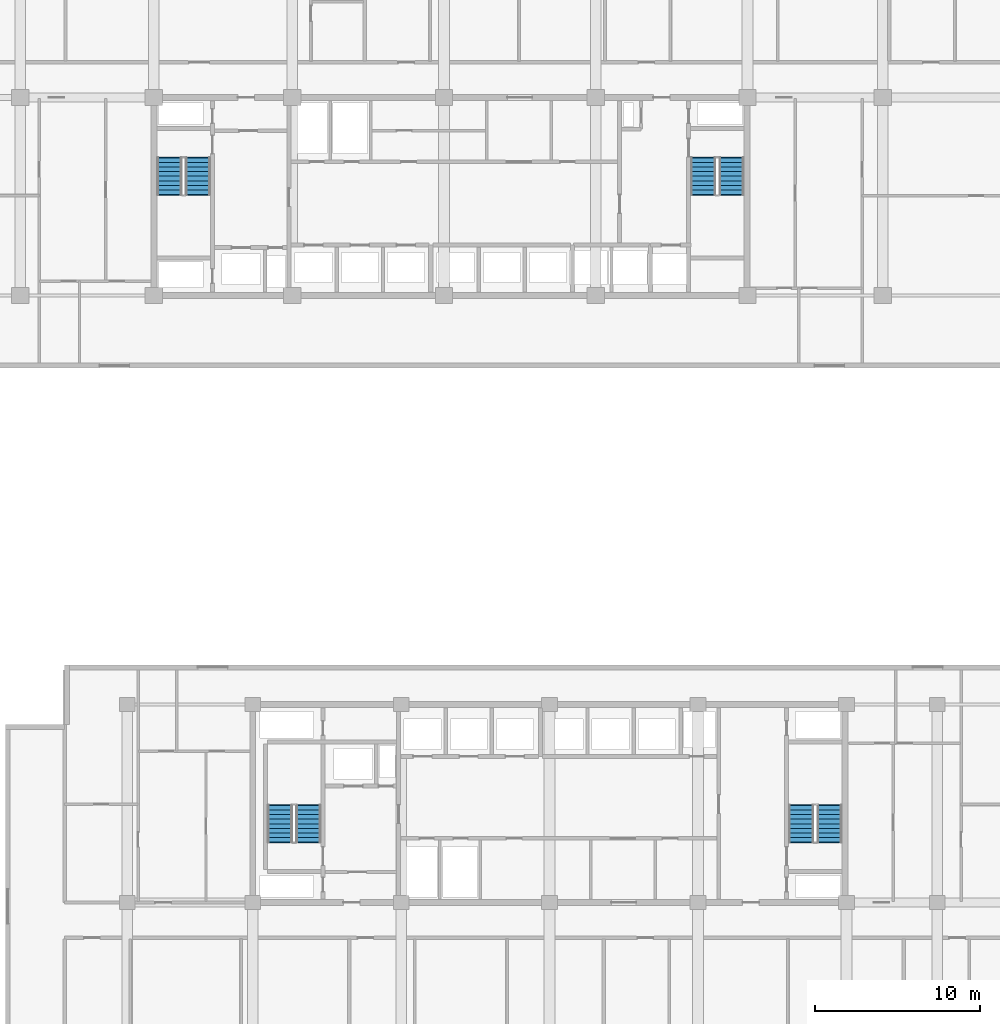
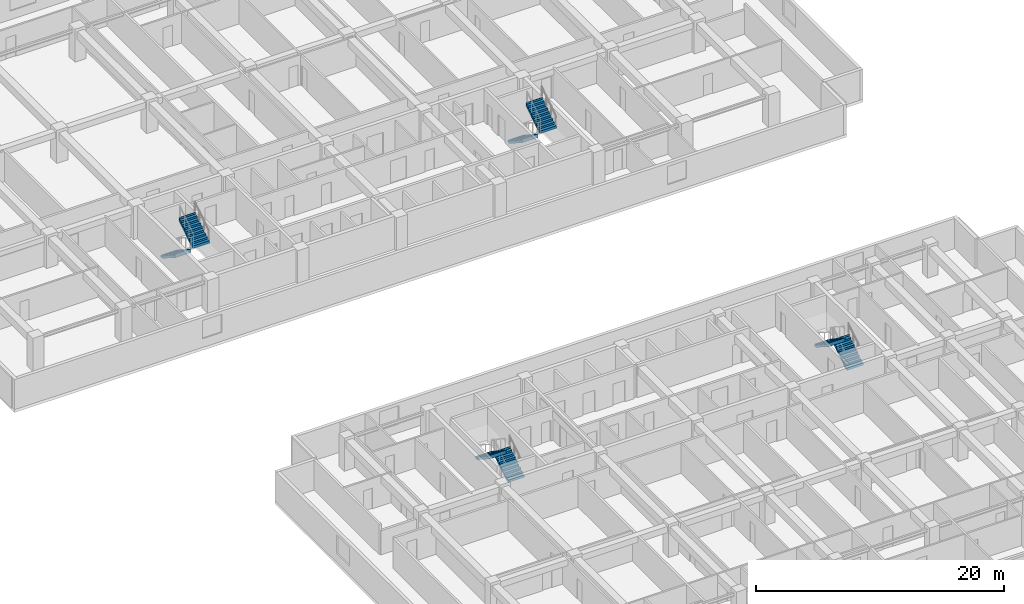
# One storey, part 19 of 24: 8 stair flights, 4 elements without a shape of their own.
"""IFC4 building model written with IfcOpenShell, lengths in metres."""

import ifcopenshell
import ifcopenshell.guid

model = None  # the IFC model being written
_history = None  # IfcOwnerHistory: only IFC2X3 demands one
_inside = {}  # id of a spatial element -> (the spatial element, [elements in it])
_under = {}  # id of a project, library or spatial element -> (it, [spatial elements below it])
_declared = {}  # id of a project -> (the project, [libraries it declares])
_typed = {}  # id of a type object -> (the type object, [elements of that type])
_made_of = {}  # id of a material, layer set ... -> (it, [elements and type objects made of it])


def new_model(schema):
    """Start an empty IFC model of exactly this schema.

    Asked for "IFC4X3", IfcOpenShell would pick the latest addendum, in which some entities
    have other attributes; the version numbers below select the first issue.
    IFC2X3 requires an IfcOwnerHistory on every rooted entity: one is made here for all.
    """
    global model, _history
    if schema == "IFC4X3":
        model = ifcopenshell.file(schema_version=(4, 3, 0, 0))
    else:
        model = ifcopenshell.file(schema=schema)
    _inside.clear()
    _under.clear()
    _declared.clear()
    _typed.clear()
    _made_of.clear()
    _history = None
    if model.schema == "IFC2X3":
        org = make("IfcOrganization", Name="unknown")
        user = make(
            "IfcPersonAndOrganization",
            ThePerson=make("IfcPerson", FamilyName="unknown"),
            TheOrganization=org,
        )
        app = make(
            "IfcApplication",
            ApplicationDeveloper=org,
            Version="unknown",
            ApplicationFullName="unknown",
            ApplicationIdentifier="unknown",
        )
        _history = make(
            "IfcOwnerHistory",
            OwningUser=user,
            OwningApplication=app,
            ChangeAction="ADDED",
            CreationDate=0,
        )
    return model


def make(cls, **values):
    """One entity of the class cls with the attributes given. An attribute that is None is left unset."""
    return model.create_entity(
        cls, **{name: value for name, value in values.items() if value is not None}
    )


def rooted(cls, **values):
    """An entity with a GlobalId (a new one), such as an element, a storey or a relation."""
    return make(cls, GlobalId=ifcopenshell.guid.new(), OwnerHistory=_history, **values)


def si_unit(unit_type, name, prefix=None):
    """IfcSIUnit, for example si_unit("LENGTHUNIT", "METRE", prefix="MILLI")."""
    return make("IfcSIUnit", UnitType=unit_type, Prefix=prefix, Name=name)


def assignment(units):
    """IfcUnitAssignment: the units of a project."""
    return None if units is None else make("IfcUnitAssignment", Units=units)


def point(xyz):
    """IfcCartesianPoint."""
    return None if xyz is None else make("IfcCartesianPoint", Coordinates=xyz)


def direction(xyz):
    """IfcDirection."""
    return None if xyz is None else make("IfcDirection", DirectionRatios=xyz)


def frame(location, z_axis=None, x_axis=None):
    """IfcAxis2Placement3D, a coordinate frame: its origin and axes. An axis left out is left unset."""
    return make(
        "IfcAxis2Placement3D",
        Location=point(location),
        Axis=direction(z_axis),
        RefDirection=direction(x_axis),
    )


def origin():
    """The frame at (0, 0, 0) with its axes left unset."""
    return frame((0.0, 0.0, 0.0))


def place(relative_to, where):
    """IfcLocalPlacement: puts the frame where relative to a parent placement (None: the world)."""
    return make(
        "IfcLocalPlacement", PlacementRelTo=relative_to, RelativePlacement=where
    )


def context(
    kind, dimensions, precision=None, world=None, true_north=None, identifier=None
):
    """IfcGeometricRepresentationContext, for example the 3D "Model" context."""
    return make(
        "IfcGeometricRepresentationContext",
        ContextIdentifier=identifier,
        ContextType=kind,
        CoordinateSpaceDimension=dimensions,
        Precision=precision,
        WorldCoordinateSystem=world,
        TrueNorth=true_north,
    )


def subcontext(parent, identifier, kind, view, scale=None):
    """IfcGeometricRepresentationSubContext, for example "Body" below "Model"."""
    return make(
        "IfcGeometricRepresentationSubContext",
        ContextIdentifier=identifier,
        ContextType=kind,
        ParentContext=parent,
        TargetScale=scale,
        TargetView=view,
    )


def project(units=None, contexts=None):
    """IfcProject with its units and contexts."""
    return rooted(
        "IfcProject",
        Name="project",
        RepresentationContexts=contexts,
        UnitsInContext=assignment(units),
    )


def spatial(cls, under=None, at=None, **own):
    """A site, building, storey or space (cls), placed at a placement, below another one or the project."""
    s = rooted(cls, ObjectPlacement=at, **own)
    if under is not None:
        _under.setdefault(under.id(), (under, []))[1].append(s)
    return s


def polyline(points):
    """IfcPolyline through the points."""
    return make("IfcPolyline", Points=[point(p) for p in points])


def outline(outer, holes=None, kind="AREA"):
    """IfcArbitraryClosedProfileDef: a profile drawn as a closed curve; with holes, ...WithVoids."""
    if holes is None:
        return make("IfcArbitraryClosedProfileDef", ProfileType=kind, OuterCurve=outer)
    return make(
        "IfcArbitraryProfileDefWithVoids",
        ProfileType=kind,
        OuterCurve=outer,
        InnerCurves=holes,
    )


def extrude(swept, where, along, depth):
    """IfcExtrudedAreaSolid: the profile swept, set in the frame where, extruded along a direction by depth."""
    return make(
        "IfcExtrudedAreaSolid",
        SweptArea=swept,
        Position=where,
        ExtrudedDirection=direction(along),
        Depth=depth,
    )


def shape(context_of_items, identifier, shape_type, items):
    """IfcShapeRepresentation: the items that make up one representation, for example the "Body"."""
    return make(
        "IfcShapeRepresentation",
        ContextOfItems=context_of_items,
        RepresentationIdentifier=identifier,
        RepresentationType=shape_type,
        Items=items,
    )


def material(Name=None, Category=None):
    """IfcMaterial."""
    return make("IfcMaterial", Name=Name, Category=Category)


def made_of(thing, what):
    """Note that an element or type object is made of a material, layer set ...; save() writes the relation."""
    if what is not None:
        _made_of.setdefault(what.id(), (what, []))[1].append(thing)
    return thing


def type_object(cls, material=None, **own):
    """A type object (cls), such as IfcWallType, which elements share."""
    return made_of(rooted(cls, **own), material)


def element(
    cls,
    number,
    at=None,
    inside=None,
    cuts=None,
    type_object=None,
    material=None,
    context=None,
    identifier="Body",
    shape_type=None,
    held_by="IfcProductDefinitionShape",
    body=None,
    shapes=None,
    **own,
):
    """One element of the class cls, such as IfcWall. Its Tag is "e" and its number.

    at: its placement. inside: the storey or other place that contains it. cuts: it is an
    opening in that element (IfcRelVoidsElement). A single representation is given by context,
    identifier, shape_type and body (its items); several are given by shapes. held_by: the class
    of the entity that holds the representations. save() writes the other relations.
    """
    e = rooted(cls, Tag="e%d" % number, ObjectPlacement=at, **own)
    if body is not None:
        shapes = [shape(context, identifier, shape_type, body)]
    if shapes is not None:
        e.Representation = make(held_by, Representations=shapes)
    if inside is not None:
        _inside.setdefault(inside.id(), (inside, []))[1].append(e)
    if cuts is not None:
        rooted(
            "IfcRelVoidsElement", RelatingBuildingElement=cuts, RelatedOpeningElement=e
        )
    if type_object is not None:
        _typed.setdefault(type_object.id(), (type_object, []))[1].append(e)
    return made_of(e, material)


def aggregate(whole, parts):
    """IfcRelAggregates: a whole, such as a stair, and the parts it consists of."""
    return rooted("IfcRelAggregates", RelatingObject=whole, RelatedObjects=parts)


def save(model, path):
    """Write the relations noted so far, then the file.

    IfcRelAggregates (storeys below a building ...), IfcRelContainedInSpatialStructure (elements
    in a storey), IfcRelDefinesByType, IfcRelAssociatesMaterial and IfcRelDeclares: one each for
    every whole, place, type object, material and project.
    """
    for whole, parts in _under.values():
        aggregate(whole, parts)
    for where, things in _inside.values():
        rooted(
            "IfcRelContainedInSpatialStructure",
            RelatedElements=things,
            RelatingStructure=where,
        )
    for kind, things in _typed.values():
        rooted("IfcRelDefinesByType", RelatedObjects=things, RelatingType=kind)
    for what, things in _made_of.values():
        rooted("IfcRelAssociatesMaterial", RelatedObjects=things, RelatingMaterial=what)
    for by, libraries in _declared.values():
        rooted("IfcRelDeclares", RelatingContext=by, RelatedDefinitions=libraries)
    model.write(path)


model = new_model("IFC4")

# Units and contexts
model_context = context("Model", 3, precision=1e-05, world=origin(), true_north=direction((0.0, 1.0)))
body_context = subcontext(model_context, "Body", "Model", "MODEL_VIEW")
ifc_project = project(units=[si_unit("LENGTHUNIT", "METRE"), si_unit("AREAUNIT", "SQUARE_METRE"), si_unit("VOLUMEUNIT", "CUBIC_METRE"), si_unit("PLANEANGLEUNIT", "RADIAN"), si_unit("MASSUNIT", "GRAM", prefix="KILO")], contexts=[model_context])

# Site, building, storey
site_placement = place(None, origin())
site = spatial("IfcSite", under=ifc_project, at=site_placement, CompositionType="ELEMENT")
building_placement = place(site_placement, origin())
building = spatial("IfcBuilding", under=site, at=building_placement, Name="Korimba Cascade Residences", CompositionType="ELEMENT")
storey_placement = place(building_placement, frame((0.0, 0.0, 43.5)))
storey = spatial("IfcBuildingStorey", under=building, at=storey_placement, Name="L11", CompositionType="ELEMENT", Elevation=43.5)

# Stair, stair flights
ifc_material = material(Name="Concrete C50/60", Category="concrete")
stair_type_1 = type_object("IfcStairType", Name="STR-W1-18R-1806", PredefinedType="HALF_TURN_STAIR", material=ifc_material)
stair_1_placement = place(storey_placement, origin())
stair_1 = element("IfcStair", 1, at=stair_1_placement, inside=storey, type_object=stair_type_1, Name="L11 Tower 1 West Fire Stair ST-W1", PredefinedType="HALF_TURN_STAIR")
stair_flight_type = type_object("IfcStairFlightType", Name="STF-DL-18R-1806-1520", PredefinedType="STRAIGHT", material=ifc_material)
stair_flight_1_placement = place(storey_placement, frame((77.06005859375, 63.550048828125, 0.0), z_axis=(0.0, 0.0, 1.0), x_axis=(0.0, -1.0, 0.0)))
stair_flight_1 = element("IfcStairFlight", 2, at=stair_flight_1_placement, type_object=stair_flight_type, Name="ST-W1 flight 1", NumberOfRisers=9, NumberOfTreads=8, PredefinedType="STRAIGHT", RiserHeight=0.180555556, TreadLength=0.28, context=body_context, shape_type="SweptSolid", body=[
    extrude(outline(polyline([(-0.0380859375, 0.0), (0.0, 0.1806640625), (0.280029296875, 0.1806640625), (0.280029296875, 0.361083984375), (0.56005859375, 0.361083984375), (0.56005859375, 0.541748046875), (0.840087890625, 0.541748046875), (0.840087890625, 0.72216796875), (1.1201171875, 0.72216796875), (1.1201171875, 0.90283203125), (1.39990234375, 0.90283203125), (1.39990234375, 1.083251953125), (1.679931640625, 1.083251953125), (1.679931640625, 1.263916015625), (1.9599609375, 1.263916015625), (1.9599609375, 1.4443359375), (2.239990234375, 1.4443359375), (2.239990234375, 1.625), (2.278076171875, 1.625), (2.278076171875, 1.26611328125), (0.276611328125, 0.0), (0.276611328125, -0.0380859375), (-0.0380859375, -0.0380859375), (-0.0380859375, 0.0)])), frame((0.0, 0.760009765625, 0.0), z_axis=(0.0, -1.0, 0.0), x_axis=(1.0, 0.0, 0.0)), (0.0, 0.0, 1.0), 1.52001953125),
])
stair_flight_2_placement = place(storey_placement, frame((78.780029296875, 61.31005859375, 1.625), z_axis=(0.0, 0.0, 1.0), x_axis=(0.0, 1.0, 0.0)))
stair_flight_2 = element("IfcStairFlight", 3, at=stair_flight_2_placement, type_object=stair_flight_type, Name="ST-W1 flight 2", NumberOfRisers=9, NumberOfTreads=8, PredefinedType="STRAIGHT", RiserHeight=0.180555556, TreadLength=0.28, context=body_context, shape_type="SweptSolid", body=[
    extrude(outline(polyline([(-0.0380859375, 0.0), (0.0, 0.1806640625), (0.280029296875, 0.1806640625), (0.280029296875, 0.361083984375), (0.56005859375, 0.361083984375), (0.56005859375, 0.541748046875), (0.840087890625, 0.541748046875), (0.840087890625, 0.72216796875), (1.1201171875, 0.72216796875), (1.1201171875, 0.90283203125), (1.39990234375, 0.90283203125), (1.39990234375, 1.083251953125), (1.679931640625, 1.083251953125), (1.679931640625, 1.263916015625), (1.9599609375, 1.263916015625), (1.9599609375, 1.4443359375), (2.239990234375, 1.4443359375), (2.239990234375, 1.625), (2.278076171875, 1.625), (2.278076171875, 1.26611328125), (0.276611328125, 0.0), (0.276611328125, -0.0380859375), (-0.0380859375, -0.0380859375), (-0.0380859375, 0.0)])), frame((0.0, 0.760009765625, 0.0), z_axis=(0.0, -1.0, 0.0), x_axis=(1.0, 0.0, 0.0)), (0.0, 0.0, 1.0), 1.52001953125),
])
aggregate(stair_1, [stair_flight_1, stair_flight_2])

stair_type_2 = type_object("IfcStairType", Name="STR-W2-18R-1806", PredefinedType="HALF_TURN_STAIR", material=ifc_material)
stair_2_placement = place(storey_placement, origin())
stair_2 = element("IfcStair", 4, at=stair_2_placement, inside=storey, type_object=stair_type_2, Name="L11 Tower 1 East Fire Stair ST-W2", PredefinedType="HALF_TURN_STAIR")
stair_flight_3_placement = place(storey_placement, frame((109.419921875, 63.550048828125, 0.0), z_axis=(0.0, 0.0, 1.0), x_axis=(0.0, -1.0, 0.0)))
stair_flight_3 = element("IfcStairFlight", 5, at=stair_flight_3_placement, type_object=stair_flight_type, Name="ST-W2 flight 1", NumberOfRisers=9, NumberOfTreads=8, PredefinedType="STRAIGHT", RiserHeight=0.180555556, TreadLength=0.28, context=body_context, shape_type="SweptSolid", body=[
    extrude(outline(polyline([(-0.0380859375, 0.0), (0.0, 0.1806640625), (0.280029296875, 0.1806640625), (0.280029296875, 0.361083984375), (0.56005859375, 0.361083984375), (0.56005859375, 0.541748046875), (0.840087890625, 0.541748046875), (0.840087890625, 0.72216796875), (1.1201171875, 0.72216796875), (1.1201171875, 0.90283203125), (1.39990234375, 0.90283203125), (1.39990234375, 1.083251953125), (1.679931640625, 1.083251953125), (1.679931640625, 1.263916015625), (1.9599609375, 1.263916015625), (1.9599609375, 1.4443359375), (2.239990234375, 1.4443359375), (2.239990234375, 1.625), (2.278076171875, 1.625), (2.278076171875, 1.26611328125), (0.276611328125, 0.0), (0.276611328125, -0.0380859375), (-0.0380859375, -0.0380859375), (-0.0380859375, 0.0)])), frame((0.0, 0.760009765625, 0.0), z_axis=(0.0, -1.0, 0.0), x_axis=(1.0, 0.0, 0.0)), (0.0, 0.0, 1.0), 1.52001953125),
])
stair_flight_4_placement = place(storey_placement, frame((111.139892578125, 61.31005859375, 1.625), z_axis=(0.0, 0.0, 1.0), x_axis=(0.0, 1.0, 0.0)))
stair_flight_4 = element("IfcStairFlight", 6, at=stair_flight_4_placement, type_object=stair_flight_type, Name="ST-W2 flight 2", NumberOfRisers=9, NumberOfTreads=8, PredefinedType="STRAIGHT", RiserHeight=0.180555556, TreadLength=0.28, context=body_context, shape_type="SweptSolid", body=[
    extrude(outline(polyline([(-0.0380859375, 0.0), (0.0, 0.1806640625), (0.280029296875, 0.1806640625), (0.280029296875, 0.361083984375), (0.56005859375, 0.361083984375), (0.56005859375, 0.541748046875), (0.840087890625, 0.541748046875), (0.840087890625, 0.72216796875), (1.1201171875, 0.72216796875), (1.1201171875, 0.90283203125), (1.39990234375, 0.90283203125), (1.39990234375, 1.083251953125), (1.679931640625, 1.083251953125), (1.679931640625, 1.263916015625), (1.9599609375, 1.263916015625), (1.9599609375, 1.4443359375), (2.239990234375, 1.4443359375), (2.239990234375, 1.625), (2.278076171875, 1.625), (2.278076171875, 1.26611328125), (0.276611328125, 0.0), (0.276611328125, -0.0380859375), (-0.0380859375, -0.0380859375), (-0.0380859375, 0.0)])), frame((0.0, 0.760009765625, 0.0), z_axis=(0.0, -1.0, 0.0), x_axis=(1.0, 0.0, 0.0)), (0.0, 0.0, 1.0), 1.52001953125),
])
aggregate(stair_2, [stair_flight_3, stair_flight_4])

stair_type_3 = type_object("IfcStairType", Name="STR-E1-18R-1806", PredefinedType="HALF_TURN_STAIR", material=ifc_material)
stair_3_placement = place(storey_placement, origin())
stair_3 = element("IfcStair", 7, at=stair_3_placement, inside=storey, type_object=stair_type_3, Name="L11 Tower 2 West Fire Stair ST-E1", PredefinedType="HALF_TURN_STAIR")
stair_flight_5_placement = place(storey_placement, frame((85.47998046875, 22.050048828125, 0.0), z_axis=(0.0, 0.0, 1.0), x_axis=(0.0, 1.0, 0.0)))
stair_flight_5 = element("IfcStairFlight", 8, at=stair_flight_5_placement, type_object=stair_flight_type, Name="ST-E1 flight 1", NumberOfRisers=9, NumberOfTreads=8, PredefinedType="STRAIGHT", RiserHeight=0.180555556, TreadLength=0.28, context=body_context, shape_type="SweptSolid", body=[
    extrude(outline(polyline([(-0.0380859375, 0.0), (0.0, 0.1806640625), (0.280029296875, 0.1806640625), (0.280029296875, 0.361083984375), (0.56005859375, 0.361083984375), (0.56005859375, 0.541748046875), (0.840087890625, 0.541748046875), (0.840087890625, 0.72216796875), (1.1201171875, 0.72216796875), (1.1201171875, 0.90283203125), (1.39990234375, 0.90283203125), (1.39990234375, 1.083251953125), (1.679931640625, 1.083251953125), (1.679931640625, 1.263916015625), (1.9599609375, 1.263916015625), (1.9599609375, 1.4443359375), (2.239990234375, 1.4443359375), (2.239990234375, 1.625), (2.278076171875, 1.625), (2.278076171875, 1.26611328125), (0.276611328125, 0.0), (0.276611328125, -0.0380859375), (-0.0380859375, -0.0380859375), (-0.0380859375, 0.0)])), frame((0.0, 0.760009765625, 0.0), z_axis=(0.0, -1.0, 0.0), x_axis=(1.0, 0.0, 0.0)), (0.0, 0.0, 1.0), 1.52001953125),
])
stair_flight_6_placement = place(storey_placement, frame((83.760009765625, 24.2900390625, 1.625), z_axis=(0.0, 0.0, 1.0), x_axis=(0.0, -1.0, 0.0)))
stair_flight_6 = element("IfcStairFlight", 9, at=stair_flight_6_placement, type_object=stair_flight_type, Name="ST-E1 flight 2", NumberOfRisers=9, NumberOfTreads=8, PredefinedType="STRAIGHT", RiserHeight=0.180555556, TreadLength=0.28, context=body_context, shape_type="SweptSolid", body=[
    extrude(outline(polyline([(-0.0380859375, 0.0), (0.0, 0.1806640625), (0.280029296875, 0.1806640625), (0.280029296875, 0.361083984375), (0.56005859375, 0.361083984375), (0.56005859375, 0.541748046875), (0.840087890625, 0.541748046875), (0.840087890625, 0.72216796875), (1.1201171875, 0.72216796875), (1.1201171875, 0.90283203125), (1.39990234375, 0.90283203125), (1.39990234375, 1.083251953125), (1.679931640625, 1.083251953125), (1.679931640625, 1.263916015625), (1.9599609375, 1.263916015625), (1.9599609375, 1.4443359375), (2.239990234375, 1.4443359375), (2.239990234375, 1.625), (2.278076171875, 1.625), (2.278076171875, 1.26611328125), (0.276611328125, 0.0), (0.276611328125, -0.0380859375), (-0.0380859375, -0.0380859375), (-0.0380859375, 0.0)])), frame((0.0, 0.760009765625, 0.0), z_axis=(0.0, -1.0, 0.0), x_axis=(1.0, 0.0, 0.0)), (0.0, 0.0, 1.0), 1.52001953125),
])
aggregate(stair_3, [stair_flight_5, stair_flight_6])

stair_type_4 = type_object("IfcStairType", Name="STR-E2-18R-1806", PredefinedType="HALF_TURN_STAIR", material=ifc_material)
stair_4_placement = place(storey_placement, origin())
stair_4 = element("IfcStair", 10, at=stair_4_placement, inside=storey, type_object=stair_type_4, Name="L11 Tower 2 East Fire Stair ST-E2", PredefinedType="HALF_TURN_STAIR")
stair_flight_7_placement = place(storey_placement, frame((117.080078125, 22.050048828125, 0.0), z_axis=(0.0, 0.0, 1.0), x_axis=(0.0, 1.0, 0.0)))
stair_flight_7 = element("IfcStairFlight", 11, at=stair_flight_7_placement, type_object=stair_flight_type, Name="ST-E2 flight 1", NumberOfRisers=9, NumberOfTreads=8, PredefinedType="STRAIGHT", RiserHeight=0.180555556, TreadLength=0.28, context=body_context, shape_type="SweptSolid", body=[
    extrude(outline(polyline([(-0.0380859375, 0.0), (0.0, 0.1806640625), (0.280029296875, 0.1806640625), (0.280029296875, 0.361083984375), (0.56005859375, 0.361083984375), (0.56005859375, 0.541748046875), (0.840087890625, 0.541748046875), (0.840087890625, 0.72216796875), (1.1201171875, 0.72216796875), (1.1201171875, 0.90283203125), (1.39990234375, 0.90283203125), (1.39990234375, 1.083251953125), (1.679931640625, 1.083251953125), (1.679931640625, 1.263916015625), (1.9599609375, 1.263916015625), (1.9599609375, 1.4443359375), (2.239990234375, 1.4443359375), (2.239990234375, 1.625), (2.278076171875, 1.625), (2.278076171875, 1.26611328125), (0.276611328125, 0.0), (0.276611328125, -0.0380859375), (-0.0380859375, -0.0380859375), (-0.0380859375, 0.0)])), frame((0.0, 0.760009765625, 0.0), z_axis=(0.0, -1.0, 0.0), x_axis=(1.0, 0.0, 0.0)), (0.0, 0.0, 1.0), 1.52001953125),
])
stair_flight_8_placement = place(storey_placement, frame((115.360107421875, 24.2900390625, 1.625), z_axis=(0.0, 0.0, 1.0), x_axis=(0.0, -1.0, 0.0)))
stair_flight_8 = element("IfcStairFlight", 12, at=stair_flight_8_placement, type_object=stair_flight_type, Name="ST-E2 flight 2", NumberOfRisers=9, NumberOfTreads=8, PredefinedType="STRAIGHT", RiserHeight=0.180555556, TreadLength=0.28, context=body_context, shape_type="SweptSolid", body=[
    extrude(outline(polyline([(-0.0380859375, 0.0), (0.0, 0.1806640625), (0.280029296875, 0.1806640625), (0.280029296875, 0.361083984375), (0.56005859375, 0.361083984375), (0.56005859375, 0.541748046875), (0.840087890625, 0.541748046875), (0.840087890625, 0.72216796875), (1.1201171875, 0.72216796875), (1.1201171875, 0.90283203125), (1.39990234375, 0.90283203125), (1.39990234375, 1.083251953125), (1.679931640625, 1.083251953125), (1.679931640625, 1.263916015625), (1.9599609375, 1.263916015625), (1.9599609375, 1.4443359375), (2.239990234375, 1.4443359375), (2.239990234375, 1.625), (2.278076171875, 1.625), (2.278076171875, 1.26611328125), (0.276611328125, 0.0), (0.276611328125, -0.0380859375), (-0.0380859375, -0.0380859375), (-0.0380859375, 0.0)])), frame((0.0, 0.760009765625, 0.0), z_axis=(0.0, -1.0, 0.0), x_axis=(1.0, 0.0, 0.0)), (0.0, 0.0, 1.0), 1.52001953125),
])
aggregate(stair_4, [stair_flight_7, stair_flight_8])

save(model, "model.ifc")
